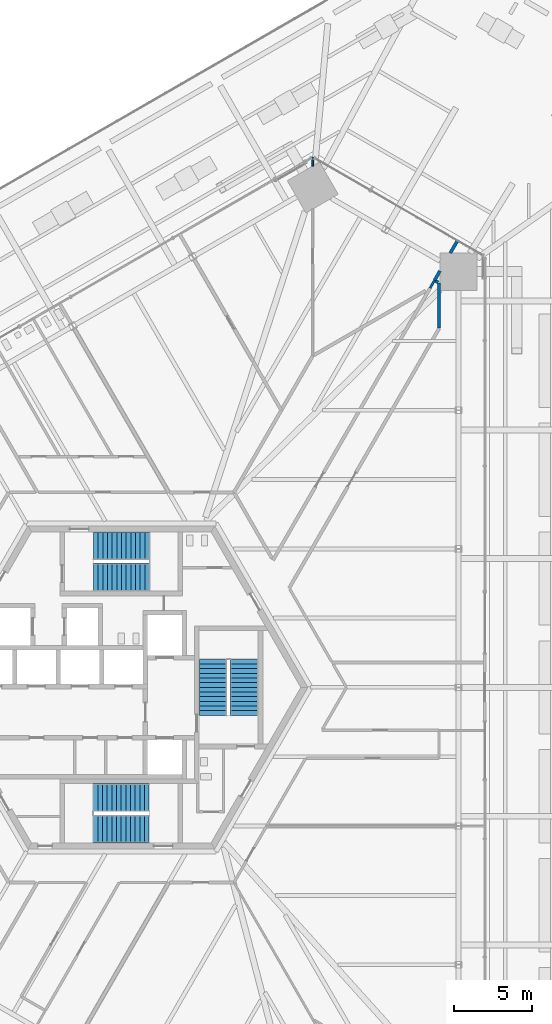
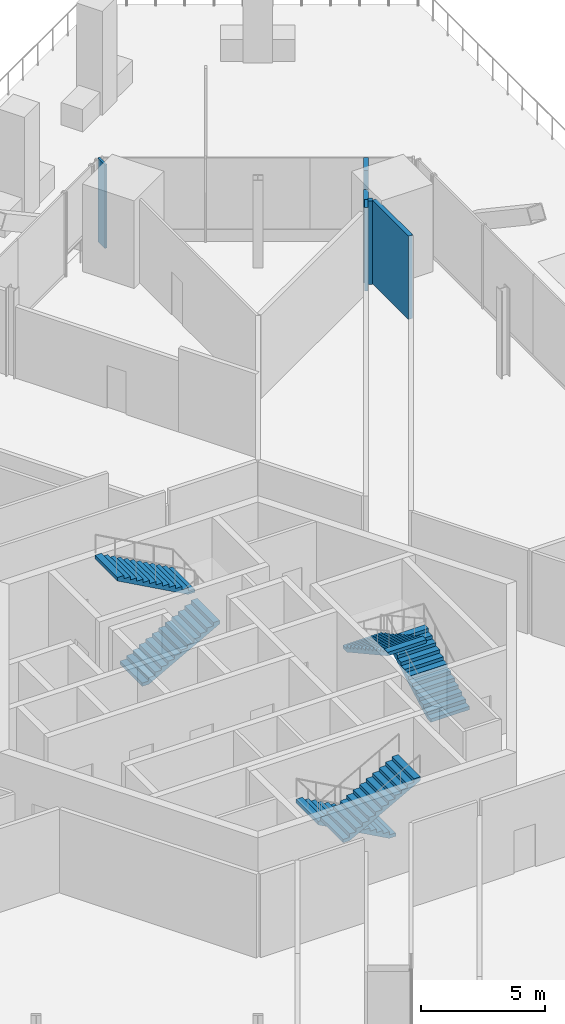
# One storey, part 30 of 38: 6 stair flights, 6 walls, 3 elements without a shape of their own.
"""IFC4 building model written with IfcOpenShell, lengths in metres."""

from ifc_helpers import new_model, si_unit, direction, frame, frame_2d, origin, place, context, subcontext, project, spatial, polyline, rectangle, outline, extrude, source, transform, mapped, material, layer, layer_set, type_object, element, aggregate, save


model = new_model("IFC4")

# Units and contexts
model_context = context("Model", 3, precision=1e-05, world=origin(), true_north=direction((0.0, 1.0)))
body_context = subcontext(model_context, "Body", "Model", "MODEL_VIEW")
ifc_project = project(units=[si_unit("LENGTHUNIT", "METRE"), si_unit("AREAUNIT", "SQUARE_METRE"), si_unit("VOLUMEUNIT", "CUBIC_METRE"), si_unit("PLANEANGLEUNIT", "RADIAN"), si_unit("MASSUNIT", "GRAM", prefix="KILO")], contexts=[model_context])

# Site, building, storey
site_placement = place(None, origin())
site = spatial("IfcSite", under=ifc_project, at=site_placement, CompositionType="ELEMENT")
building_placement = place(site_placement, origin())
building = spatial("IfcBuilding", under=site, at=building_placement, Name="Triune Harvest Tower", CompositionType="ELEMENT")
storey_placement = place(building_placement, frame((0.0, 0.0, 16.0)))
storey = spatial("IfcBuildingStorey", under=building, at=storey_placement, Name="L03", CompositionType="ELEMENT", Elevation=16.0)

# Walls
ifc_material_1 = material(Name="Gypsum board on steel studs", Category="steel")
ifc_layer_1 = layer(ifc_material_1, 0.14990234375)
ifc_layer_set_1 = layer_set([ifc_layer_1], Name="Gypsum board on steel studs")
wall_type_1 = type_object("IfcWallType", Name="Fire Partition 150 mm", PredefinedType="PARTITIONING", material=ifc_layer_set_1)
wall_1_placement = place(storey_placement, frame((19.85498046875, 25.68017578125, 0.0), z_axis=(0.0, 0.0, 1.0), x_axis=(0.500427620203, 0.86577837634, 0.0)))
element("IfcWall", 1, at=wall_1_placement, inside=storey, type_object=wall_type_1, Name="Partition L03 052", PredefinedType="PARTITIONING", context=body_context, shape_type="SweptSolid", body=[
    extrude(rectangle(XDim=0.5693359375, YDim=0.14990234375, at=frame_2d((0.28466796875, 0.0))), origin(), (0.0, 0.0, 1.0), 4.10009765625),
])
ifc_material_2 = material(Name="Gypsum board on steel studs", Category="steel")
ifc_layer_2 = layer(ifc_material_2, 0.199951171875)
ifc_layer_set_2 = layer_set([ifc_layer_2], Name="Gypsum board on steel studs")
wall_type_2 = type_object("IfcWallType", Name="Fire Wall 200 mm", PredefinedType="PARTITIONING", material=ifc_layer_set_2)
wall_2_placement = place(storey_placement, frame((20.210205078125, 26.135009765625, 0.0), z_axis=(0.0, 0.0, 1.0), x_axis=(0.865608577882, -0.500721269667, 0.0)))
element("IfcWall", 2, at=wall_2_placement, inside=storey, type_object=wall_type_2, Name="Partition L03 020", PredefinedType="PARTITIONING", context=body_context, shape_type="SweptSolid", body=[
    extrude(rectangle(XDim=0.183349609375, YDim=0.199951171875, at=frame_2d((0.091796875, 0.0))), origin(), (0.0, 0.0, 1.0), 4.10009765625),
])
wall_3_placement = place(storey_placement, frame((20.139892578125, 26.173095703125, 0.0), z_axis=(0.0, 0.0, 1.0), x_axis=(0.49989369433, 0.866086770693, 0.0)))
element("IfcWall", 3, at=wall_3_placement, inside=storey, type_object=wall_type_2, Name="Partition L03 053", PredefinedType="PARTITIONING", context=body_context, shape_type="SweptSolid", body=[
    extrude(rectangle(XDim=0.699462890625, YDim=0.199951171875, at=frame_2d((0.349609375, 0.0))), origin(), (0.0, 0.0, 1.0), 4.10009765625),
])
wall_4_placement = place(storey_placement, frame((21.1484375, 27.919921875, 0.0), z_axis=(0.0, 0.0, 1.0), x_axis=(0.499935264145, 0.866062775822, 0.0)))
element("IfcWall", 4, at=wall_4_placement, inside=storey, type_object=wall_type_2, Name="Partition L03 054", PredefinedType="PARTITIONING", context=body_context, shape_type="SweptSolid", body=[
    extrude(rectangle(XDim=0.9267578125, YDim=0.199951171875, at=frame_2d((0.46337890625, 0.0))), origin(), (0.0, 0.0, 1.0), 4.10009765625),
])
wall_5_placement = place(storey_placement, frame((20.429443359375, 23.10498046875, 0.0), z_axis=(0.0, 0.0, 1.0), x_axis=(0.0, 1.0, 0.0)))
element("IfcWall", 5, at=wall_5_placement, inside=storey, type_object=wall_type_2, Name="Partition L03 060", PredefinedType="PARTITIONING", context=body_context, shape_type="SweptSolid", body=[
    extrude(rectangle(XDim=2.9033203125, YDim=0.199951171875, at=frame_2d((1.45166015625, 0.0))), origin(), (0.0, 0.0, 1.0), 4.10009765625),
])
ifc_material_3 = material(Name="Gypsum board on steel studs", Category="steel")
ifc_layer_3 = layer(ifc_material_3, 0.10009765625)
ifc_layer_set_3 = layer_set([ifc_layer_3], Name="Gypsum board on steel studs")
wall_type_3 = type_object("IfcWallType", Name="Partition 100 mm", PredefinedType="PARTITIONING", material=ifc_layer_set_3)
wall_6_placement = place(storey_placement, frame((12.30908203125, 33.51416015625, 0.0), z_axis=(0.0, 0.0, 1.0), x_axis=(0.0, 1.0, 0.0)))
element("IfcWall", 6, at=wall_6_placement, inside=storey, type_object=wall_type_3, Name="Partition L03 062", PredefinedType="PARTITIONING", context=body_context, shape_type="SweptSolid", body=[
    extrude(rectangle(XDim=0.579345703125, YDim=0.10009765625, at=frame_2d((0.28955078125, 0.0))), origin(), (0.0, 0.0, 1.0), 4.10009765625),
])

# Stair, stair flights
ifc_material_4 = material(Name="Concrete 40 MPa", Category="concrete")
stair_type = type_object("IfcStairType", Name="Exit stair 1800 half turn", PredefinedType="HALF_TURN_STAIR", material=ifc_material_4)
stair_1_placement = place(storey_placement, origin())
stair_1 = element("IfcStair", 7, at=stair_1_placement, inside=storey, type_object=stair_type, Name="Exit stair north", PredefinedType="HALF_TURN_STAIR")
ifc_material_5 = material(Name="Concrete 40 MPa", Category="concrete")
stair_flight_type = type_object("IfcStairFlightType", Name="Stair flight 1800", PredefinedType="STRAIGHT", material=ifc_material_5)
shared_shape = source(origin(), body_context, "Body", "SweptSolid", [
    extrude(outline(polyline([(0.0, 0.0), (0.0, 0.165283203125), (0.300048828125, 0.165283203125), (0.300048828125, 0.330810546875), (0.60009765625, 0.330810546875), (0.60009765625, 0.49609375), (0.89990234375, 0.49609375), (0.89990234375, 0.66162109375), (1.199951171875, 0.66162109375), (1.199951171875, 0.826904296875), (1.5, 0.826904296875), (1.5, 0.9921875), (1.800048828125, 0.9921875), (1.800048828125, 1.15771484375), (2.10009765625, 1.15771484375), (2.10009765625, 1.322998046875), (2.39990234375, 1.322998046875), (2.39990234375, 1.488525390625), (2.699951171875, 1.488525390625), (2.699951171875, 1.65380859375), (3.0, 1.65380859375), (3.0, 1.819091796875), (3.300048828125, 1.819091796875), (3.300048828125, 1.984619140625), (3.60009765625, 1.984619140625), (3.60009765625, 2.14990234375), (3.60009765625, 1.8134765625), (0.310546875, 0.0), (0.0, 0.0)])), frame((0.0, 0.89990234375, 0.0), z_axis=(0.0, -1.0, 0.0), x_axis=(1.0, 0.0, 0.0)), (0.0, 0.0, 1.0), 1.800048828125),
])
stair_flight_1_placement = place(storey_placement, frame((-1.7900390625, 7.090087890625, 0.0), z_axis=(0.0, 0.0, 1.0), x_axis=(1.0, 0.0, 0.0)))
stair_flight_1 = element("IfcStairFlight", 8, at=stair_flight_1_placement, type_object=stair_flight_type, Name="ST-1 flight 1", NumberOfRisers=13, NumberOfTreads=12, PredefinedType="STRAIGHT", RiserHeight=0.16538, TreadLength=0.3, context=body_context, shape_type="MappedRepresentation", body=[
    mapped(shared_shape, transform((0.0, 0.0, 0.0), scale=1.0)),
])
stair_flight_2_placement = place(storey_placement, frame((1.81005859375, 9.090087890625, 2.14990234375), z_axis=(0.0, 0.0, 1.0), x_axis=(-1.0, 0.0, 0.0)))
stair_flight_2 = element("IfcStairFlight", 9, at=stair_flight_2_placement, type_object=stair_flight_type, Name="ST-1 flight 2", NumberOfRisers=13, NumberOfTreads=12, PredefinedType="STRAIGHT", RiserHeight=0.16538, TreadLength=0.3, context=body_context, shape_type="MappedRepresentation", body=[
    mapped(shared_shape, transform((0.0, 0.0, 0.0), scale=1.0)),
])
aggregate(stair_1, [stair_flight_1, stair_flight_2])

stair_2_placement = place(storey_placement, origin())
stair_2 = element("IfcStair", 10, at=stair_2_placement, inside=storey, type_object=stair_type, Name="Exit stair south", PredefinedType="HALF_TURN_STAIR")
stair_flight_3_placement = place(storey_placement, frame((1.7900390625, -7.090087890625, 0.0), z_axis=(0.0, 0.0, 1.0), x_axis=(-1.0, 0.0, 0.0)))
stair_flight_3 = element("IfcStairFlight", 11, at=stair_flight_3_placement, type_object=stair_flight_type, Name="ST-2 flight 1", NumberOfRisers=13, NumberOfTreads=12, PredefinedType="STRAIGHT", RiserHeight=0.16538, TreadLength=0.3, context=body_context, shape_type="MappedRepresentation", body=[
    mapped(shared_shape, transform((0.0, 0.0, 0.0), scale=1.0)),
])
stair_flight_4_placement = place(storey_placement, frame((-1.81005859375, -9.090087890625, 2.14990234375), z_axis=(0.0, 0.0, 1.0), x_axis=(1.0, 0.0, 0.0)))
stair_flight_4 = element("IfcStairFlight", 12, at=stair_flight_4_placement, type_object=stair_flight_type, Name="ST-2 flight 2", NumberOfRisers=13, NumberOfTreads=12, PredefinedType="STRAIGHT", RiserHeight=0.16538, TreadLength=0.3, context=body_context, shape_type="MappedRepresentation", body=[
    mapped(shared_shape, transform((0.0, 0.0, 0.0), scale=1.0)),
])
aggregate(stair_2, [stair_flight_3, stair_flight_4])

stair_3_placement = place(storey_placement, origin())
stair_3 = element("IfcStair", 13, at=stair_3_placement, inside=storey, type_object=stair_type, Name="Exit stair east", PredefinedType="HALF_TURN_STAIR")
stair_flight_5_placement = place(storey_placement, frame((7.89990234375, -1.7900390625, 0.0), z_axis=(0.0, 0.0, 1.0), x_axis=(0.0, 1.0, 0.0)))
stair_flight_5 = element("IfcStairFlight", 14, at=stair_flight_5_placement, type_object=stair_flight_type, Name="ST-3 flight 1", NumberOfRisers=13, NumberOfTreads=12, PredefinedType="STRAIGHT", RiserHeight=0.16538, TreadLength=0.3, context=body_context, shape_type="MappedRepresentation", body=[
    mapped(shared_shape, transform((0.0, 0.0, 0.0), scale=1.0)),
])
stair_flight_6_placement = place(storey_placement, frame((5.89990234375, 1.81005859375, 2.14990234375), z_axis=(0.0, 0.0, 1.0), x_axis=(0.0, -1.0, 0.0)))
stair_flight_6 = element("IfcStairFlight", 15, at=stair_flight_6_placement, type_object=stair_flight_type, Name="ST-3 flight 2", NumberOfRisers=13, NumberOfTreads=12, PredefinedType="STRAIGHT", RiserHeight=0.16538, TreadLength=0.3, context=body_context, shape_type="MappedRepresentation", body=[
    mapped(shared_shape, transform((0.0, 0.0, 0.0), scale=1.0)),
])
aggregate(stair_3, [stair_flight_5, stair_flight_6])

save(model, "model.ifc")
